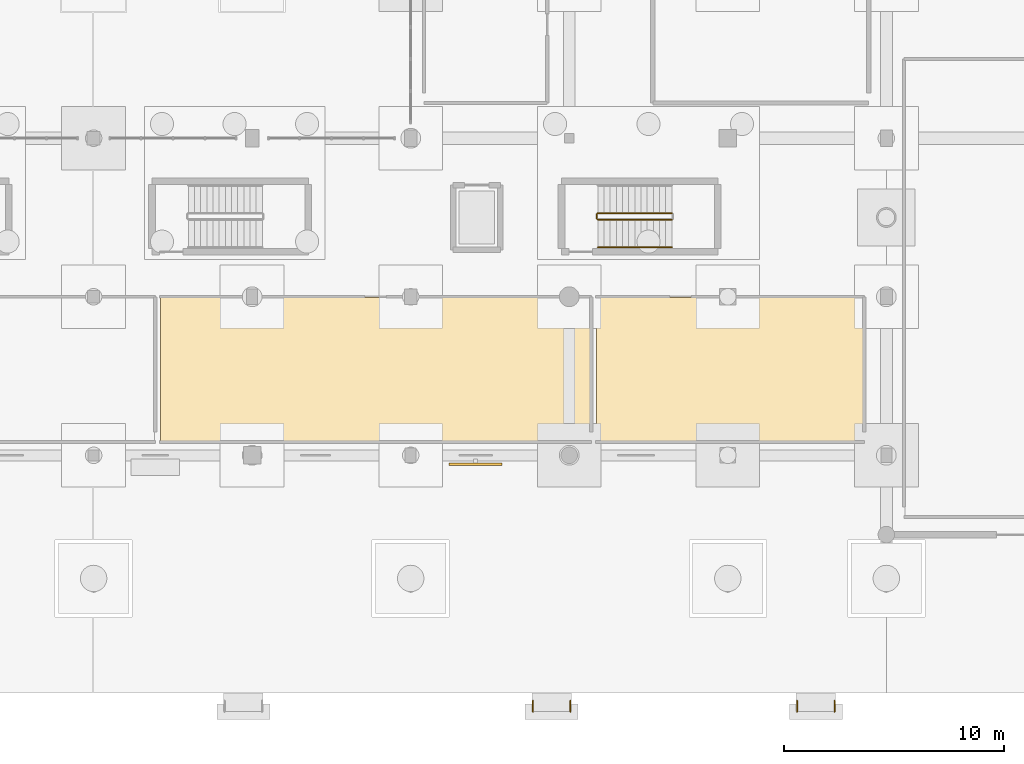
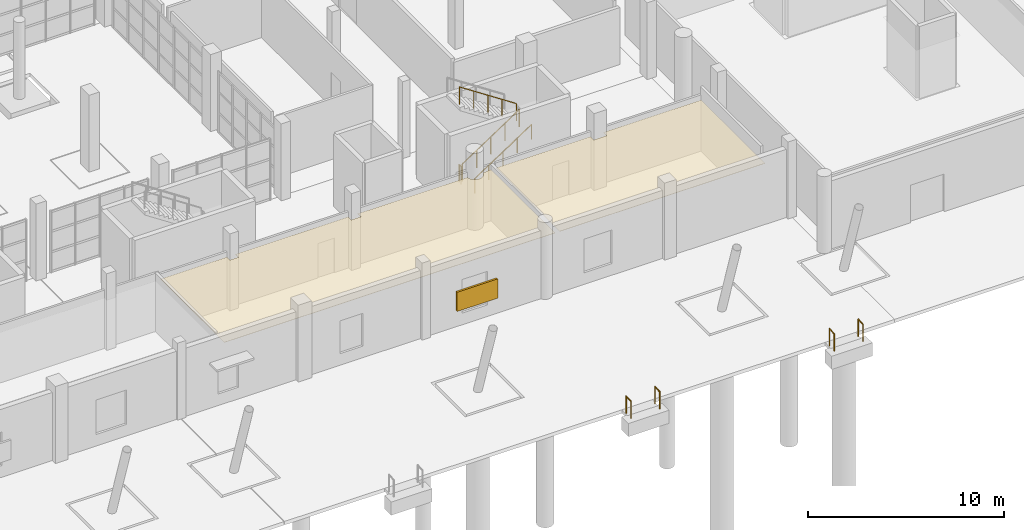
# One storey, part 278 of 285: 8 railings, 2 coverings, 1 shading device.
"""IFC4 building model written with IfcOpenShell, lengths in metres."""

from ifc_helpers import new_model, si_unit, direction, frame, origin, origin_2d, place, context, subcontext, project, spatial, polyline, rectangle, circle, outline, extrude, material, layer, layer_set, type_object, element, save


model = new_model("IFC4")

# Units and contexts
model_context = context("Model", 3, precision=1e-05, world=origin(), true_north=direction((0.0, 1.0)))
body_context = subcontext(model_context, "Body", "Model", "MODEL_VIEW")
ifc_project = project(units=[si_unit("LENGTHUNIT", "METRE"), si_unit("AREAUNIT", "SQUARE_METRE"), si_unit("VOLUMEUNIT", "CUBIC_METRE"), si_unit("PLANEANGLEUNIT", "RADIAN"), si_unit("MASSUNIT", "GRAM", prefix="KILO")], contexts=[model_context])

# Site, building, storey
site_placement = place(None, origin())
site = spatial("IfcSite", under=ifc_project, at=site_placement, CompositionType="ELEMENT")
building_placement = place(site_placement, origin())
building = spatial("IfcBuilding", under=site, at=building_placement, Name="Solanera Park Tramway Depot", CompositionType="ELEMENT")
storey_placement = place(building_placement, origin())
storey = spatial("IfcBuildingStorey", under=building, at=storey_placement, Name="L00", CompositionType="ELEMENT", Elevation=0.0)

# Coverings
ifc_material_1 = material(Name="Acoustic perforated plasterboard and mineral-fibre ceiling")
ifc_layer_1 = layer(ifc_material_1, 0.02001953125)
ifc_layer_set_1 = layer_set([ifc_layer_1], Name="Acoustic perforated plasterboard and mineral-fibre ceiling")
covering_type = type_object("IfcCoveringType", Name="Acoustic Mineral-Fibre Ceiling 20", PredefinedType="CEILING", material=ifc_layer_set_1)
covering_1_placement = place(storey_placement, frame((0.0, 0.0, 3.14990234375)))
element("IfcCovering", 1, at=covering_1_placement, inside=storey, type_object=covering_type, Name="Operations Crew Locker and Uniform Room Acoustic Ceiling", PredefinedType="CEILING", context=body_context, shape_type="SweptSolid", body=[
    extrude(outline(polyline([(158.14697265625, 17.9599609375), (158.14697265625, 17.64697265625), (158.653076171875, 17.64697265625), (158.653076171875, 17.9599609375), (165.322021484375, 17.9599609375), (165.322021484375, 17.64697265625), (165.8779296875, 17.64697265625), (165.8779296875, 17.9599609375), (172.350830078125, 17.9599609375), (172.381591796875, 17.82666015625), (172.42333984375, 17.748291015625), (172.479736328125, 17.6796875), (172.54833984375, 17.623291015625), (172.626708984375, 17.58154296875), (172.711669921875, 17.5556640625), (172.800048828125, 17.547119140625), (172.888427734375, 17.5556640625), (172.973388671875, 17.58154296875), (173.0517578125, 17.623291015625), (173.120361328125, 17.6796875), (173.1767578125, 17.748291015625), (173.218505859375, 17.82666015625), (173.244384765625, 17.91162109375), (173.760009765625, 17.9599609375), (173.760009765625, 11.43994140625), (154.239990234375, 11.43994140625), (154.239990234375, 17.9599609375), (158.14697265625, 17.9599609375)])), origin(), (0.0, 0.0, 1.0), 0.02001953125),
])
covering_2_placement = place(storey_placement, frame((0.0, 0.0, 3.14990234375)))
element("IfcCovering", 2, at=covering_2_placement, inside=storey, type_object=covering_type, Name="Occupational Health and First Aid Suite Acoustic Ceiling", PredefinedType="CEILING", context=body_context, shape_type="SweptSolid", body=[
    extrude(outline(polyline([(174.0400390625, 11.43994140625), (174.0400390625, 17.9599609375), (179.6220703125, 17.9599609375), (179.6220703125, 17.6220703125), (180.3779296875, 17.6220703125), (180.3779296875, 17.9599609375), (186.159912109375, 17.9599609375), (186.159912109375, 11.43994140625), (174.0400390625, 11.43994140625)])), origin(), (0.0, 0.0, 1.0), 0.02001953125),
])

# Railings
ifc_material_2 = material(Name="Steel AS/NZS 1163 Grade C350L0", Category="steel")
ifc_layer_2 = layer(ifc_material_2, 0.050048828125)
ifc_layer_set_2 = layer_set([ifc_layer_2], Name="Steel AS/NZS 1163 Grade C350L0")
railing_type_1 = type_object("IfcRailingType", Name="External Ramp Guardrail 1100", PredefinedType="GUARDRAIL", material=ifc_layer_set_2)
for number, where, name in (
    (3, (171.14990234375, -0.840087890625, -0.06005859375), "Ramp Guardrail RMP-P04"),
    (4, (172.85009765625, -0.840087890625, -0.06005859375), "Ramp Guardrail RMP-P04"),
    (5, (183.14990234375, -0.840087890625, -0.06005859375), "Ramp Guardrail RMP-P05"),
    (6, (184.85009765625, -0.840087890625, -0.06005859375), "Ramp Guardrail RMP-P05"),
):
    element("IfcRailing", number, at=place(storey_placement, frame(where)), inside=storey, type_object=railing_type_1, Name=name, PredefinedType="GUARDRAIL", context=body_context, shape_type="SweptSolid", body=[
        extrude(circle(Radius=0.02392578125, at=origin_2d()), frame((0.0, 0.0, 1.076171875), z_axis=(0.0, 0.997435944579, 0.071564910822), x_axis=(-1.0, 0.0, 0.0)), (0.0, 0.0, 1.0), 0.4912109375),
        extrude(circle(Radius=0.02099609375, at=origin_2d()), origin(), (0.0, 0.0, 1.0), 1.052001953125),
        extrude(circle(Radius=0.02099609375, at=origin_2d()), frame((0.0, 0.489990234375, 0.03515625)), (0.0, 0.0, 1.0), 1.052001953125),
    ])
ifc_material_3 = material(Name="Brushed stainless steel 316 handrail", Category="steel")
ifc_layer_3 = layer(ifc_material_3, 0.050048828125)
ifc_layer_set_3 = layer_set([ifc_layer_3], Name="Brushed stainless steel 316 handrail")
railing_type_2 = type_object("IfcRailingType", Name="Stair Pitch Tubular Handrail 920", PredefinedType="HANDRAIL", material=ifc_layer_set_3)
railing_1_placement = place(storey_placement, frame((174.10009765625, 20.25, 0.1845703125)))
element("IfcRailing", 7, at=railing_1_placement, inside=storey, type_object=railing_type_2, Name="ST-04 L00 Pitch Handrail 1", PredefinedType="HANDRAIL", context=body_context, shape_type="SweptSolid", body=[
    extrude(circle(Radius=0.02392578125, at=origin_2d()), frame((0.0, 0.0, 0.89599609375), z_axis=(0.834858096282, 0.0, 0.550465220583), x_axis=(0.0, 1.0, 0.0)), (0.0, 0.0, 1.0), 4.0244140625),
    extrude(circle(Radius=0.02099609375, at=origin_2d()), origin(), (0.0, 0.0, 1.0), 0.871826171875),
    extrude(circle(Radius=0.02099609375, at=origin_2d()), frame((0.83984375, 0.0, 0.5537109375)), (0.0, 0.0, 1.0), 0.871826171875),
    extrude(circle(Radius=0.02099609375, at=origin_2d()), frame((1.679931640625, 0.0, 1.107666015625)), (0.0, 0.0, 1.0), 0.871826171875),
    extrude(circle(Radius=0.02099609375, at=origin_2d()), frame((2.52001953125, 0.0, 1.66162109375)), (0.0, 0.0, 1.0), 0.871826171875),
    extrude(circle(Radius=0.02099609375, at=origin_2d()), frame((3.35986328125, 0.0, 2.21533203125)), (0.0, 0.0, 1.0), 0.871826171875),
])
ifc_material_4 = material(Name="Steel AS/NZS 1163 Grade C350L0", Category="steel")
ifc_layer_4 = layer(ifc_material_4, 0.06005859375)
ifc_layer_set_4 = layer_set([ifc_layer_4], Name="Steel AS/NZS 1163 Grade C350L0")
railing_type_3 = type_object("IfcRailingType", Name="Stairwell Guardrail 1100", PredefinedType="GUARDRAIL", material=ifc_layer_set_4)
railing_2_placement = place(storey_placement, frame((174.10009765625, 21.5, 0.1845703125)))
element("IfcRailing", 8, at=railing_2_placement, inside=storey, type_object=railing_type_3, Name="ST-04 L00 Well Guard 1", PredefinedType="GUARDRAIL", context=body_context, shape_type="SweptSolid", body=[
    extrude(circle(Radius=0.02392578125, at=origin_2d()), frame((0.0, 0.0, 1.076171875), z_axis=(0.834858096282, 0.0, 0.550465220583), x_axis=(0.0, 1.0, 0.0)), (0.0, 0.0, 1.0), 4.0244140625),
    extrude(circle(Radius=0.02099609375, at=origin_2d()), origin(), (0.0, 0.0, 1.0), 1.052001953125),
    extrude(circle(Radius=0.02099609375, at=origin_2d()), frame((0.83984375, 0.0, 0.5537109375)), (0.0, 0.0, 1.0), 1.052001953125),
    extrude(circle(Radius=0.02099609375, at=origin_2d()), frame((1.679931640625, 0.0, 1.107666015625)), (0.0, 0.0, 1.0), 1.052001953125),
    extrude(circle(Radius=0.02099609375, at=origin_2d()), frame((2.52001953125, 0.0, 1.66162109375)), (0.0, 0.0, 1.0), 1.052001953125),
    extrude(circle(Radius=0.02099609375, at=origin_2d()), frame((3.35986328125, 0.0, 2.21533203125)), (0.0, 0.0, 1.0), 1.052001953125),
])
railing_3_placement = place(storey_placement, frame((177.4599609375, 21.800048828125, 2.584716796875)))
element("IfcRailing", 9, at=railing_3_placement, inside=storey, type_object=railing_type_3, Name="ST-04 L00 Well Guard 3", PredefinedType="GUARDRAIL", context=body_context, shape_type="SweptSolid", body=[
    extrude(circle(Radius=0.02392578125, at=origin_2d()), frame((0.0, 0.0, 1.076171875), z_axis=(-0.834858096282, 0.0, 0.550465220583), x_axis=(0.0, -1.0, 0.0)), (0.0, 0.0, 1.0), 4.0244140625),
    extrude(circle(Radius=0.02099609375, at=origin_2d()), origin(), (0.0, 0.0, 1.0), 1.052001953125),
    extrude(circle(Radius=0.02099609375, at=origin_2d()), frame((-0.83984375, 0.0, 0.5537109375)), (0.0, 0.0, 1.0), 1.052001953125),
    extrude(circle(Radius=0.02099609375, at=origin_2d()), frame((-1.679931640625, 0.0, 1.107666015625)), (0.0, 0.0, 1.0), 1.052001953125),
    extrude(circle(Radius=0.02099609375, at=origin_2d()), frame((-2.52001953125, 0.0, 1.66162109375)), (0.0, 0.0, 1.0), 1.052001953125),
    extrude(circle(Radius=0.02099609375, at=origin_2d()), frame((-3.35986328125, 0.0, 2.21533203125)), (0.0, 0.0, 1.0), 1.052001953125),
])
railing_4_placement = place(storey_placement, frame((174.050048828125, 21.550048828125, 0.0)))
element("IfcRailing", 10, at=railing_4_placement, inside=storey, type_object=railing_type_3, Name="ST-04 L00 Well Guard 4", PredefinedType="GUARDRAIL", context=body_context, shape_type="SweptSolid", body=[
    extrude(circle(Radius=0.02392578125, at=origin_2d()), frame((0.0, 0.0, 1.076171875), z_axis=(0.0, 1.0, 0.0), x_axis=(-1.0, 0.0, 0.0)), (0.0, 0.0, 1.0), 0.199951171875),
    extrude(circle(Radius=0.02099609375, at=origin_2d()), origin(), (0.0, 0.0, 1.0), 1.052001953125),
    extrude(circle(Radius=0.02099609375, at=origin_2d()), frame((0.0, 0.199951171875, 0.0)), (0.0, 0.0, 1.0), 1.052001953125),
])

# Shading device
ifc_material_5 = material(Name="Powder-coated aluminium aerofoil louvre", Category="aluminium")
shading_device_type = type_object("IfcShadingDeviceType", Name="Timber-Look Aluminium Jalousie Louvre 2400x1200", PredefinedType="JALOUSIE", material=ifc_material_5)
shading_device_placement = place(storey_placement, frame((168.550048828125, 10.39990234375, 1.169921875), z_axis=(0.0, 0.0, 1.0), x_axis=(1.0, 0.0, 0.0)))
element("IfcShadingDevice", 11, at=shading_device_placement, inside=storey, type_object=shading_device_type, Name="Jalousie Louvre Screen #020", PredefinedType="JALOUSIE", context=body_context, shape_type="SweptSolid", body=[
    extrude(rectangle(XDim=2.39990234375, YDim=0.1201171875, at=origin_2d()), origin(), (0.0, 0.0, 1.0), 1.199951171875),
])

save(model, "model.ifc")
